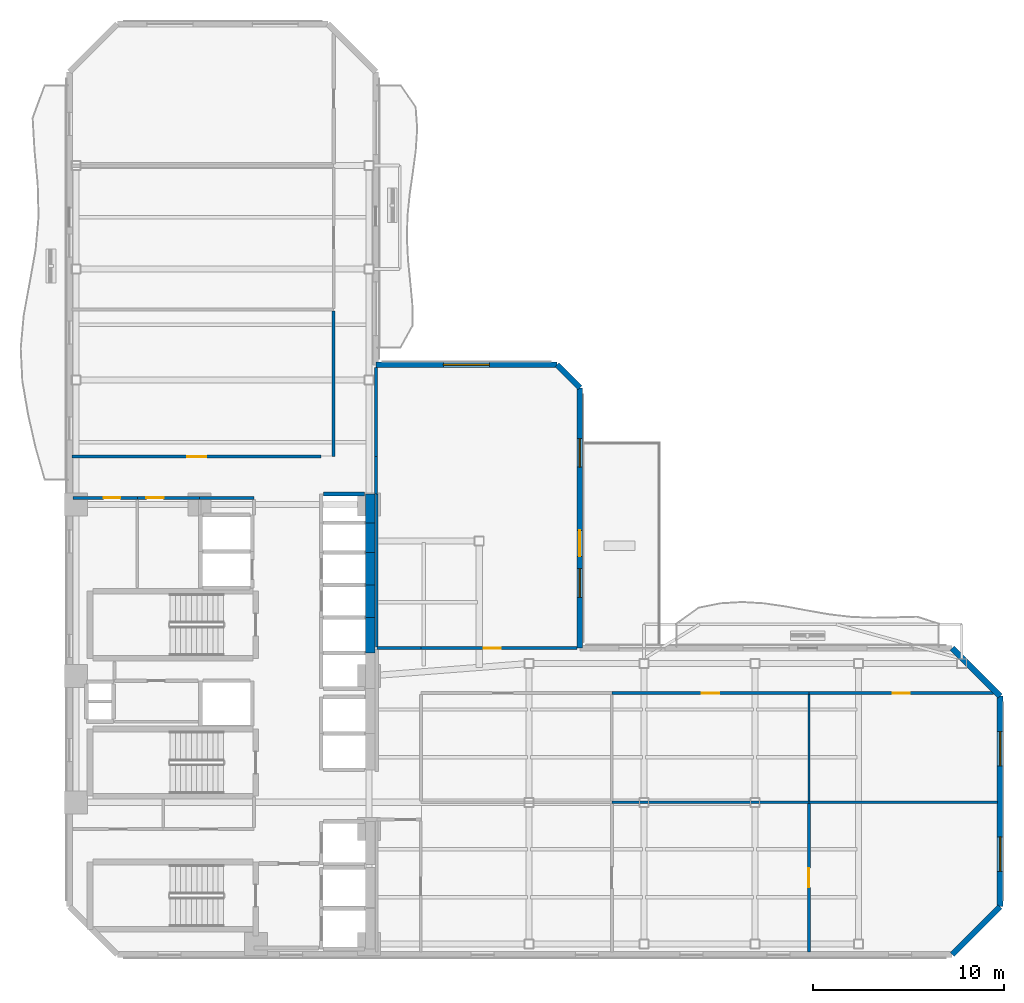
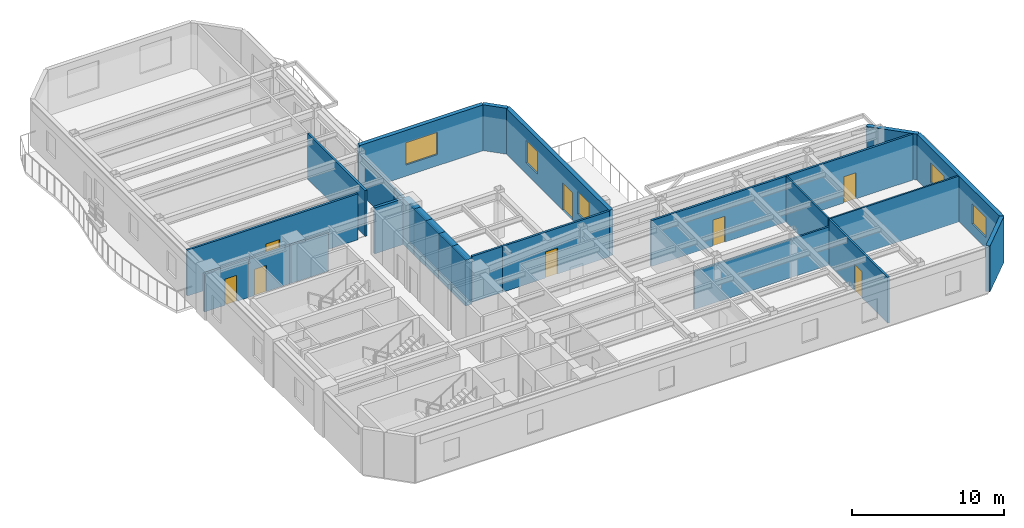
# One storey, part 5 of 11: 28 walls, 8 doors, 5 windows, 13 openings.
"""IFC4 building model written with IfcOpenShell, lengths in metres."""

from ifc_helpers import new_model, si_unit, direction, frame, frame_2d, origin, place, context, subcontext, project, spatial, rectangle, extrude, material, layer, layer_set, type_object, element, fill, save


model = new_model("IFC4")

# Units and contexts
model_context = context("Model", 3, precision=1e-05, world=origin(), true_north=direction((0.0, 1.0)))
body_context = subcontext(model_context, "Body", "Model", "MODEL_VIEW")
ifc_project = project(units=[si_unit("LENGTHUNIT", "METRE"), si_unit("AREAUNIT", "SQUARE_METRE"), si_unit("VOLUMEUNIT", "CUBIC_METRE"), si_unit("PLANEANGLEUNIT", "RADIAN"), si_unit("MASSUNIT", "GRAM", prefix="KILO")], contexts=[model_context])

# Site, building, storey
site_placement = place(None, origin())
site = spatial("IfcSite", under=ifc_project, at=site_placement, CompositionType="ELEMENT")
building_placement = place(site_placement, origin())
building = spatial("IfcBuilding", under=site, at=building_placement, Name="Mawjaban Terraces University", CompositionType="ELEMENT")
storey_placement = place(building_placement, frame((0.0, 0.0, 103.39990234375)))
storey = spatial("IfcBuildingStorey", under=building, at=storey_placement, Name="L24", CompositionType="ELEMENT", Elevation=103.39990234375)

# Walls
ifc_material_1 = material(Name="Concrete C60/75", Category="concrete")
ifc_layer_1 = layer(ifc_material_1, 0.5)
ifc_layer_set_1 = layer_set([ifc_layer_1], Name="Concrete C60/75")
wall_type_1 = type_object("IfcWallType", Name="CoreShearWall_500", PredefinedType="SHEAR", material=ifc_layer_set_1)
wall_1_placement = place(storey_placement, frame((37.699951171875, 15.75, 0.0), z_axis=(0.0, 0.0, 1.0), x_axis=(0.0, 1.0, 0.0)))
element("IfcWall", 1, at=wall_1_placement, inside=storey, type_object=wall_type_1, Name="L24 Lift OL-2 Hoistway Wall East", PredefinedType="SHEAR", context=body_context, shape_type="SweptSolid", body=[
    extrude(rectangle(XDim=1.85009765625, YDim=0.5, at=frame_2d((0.925048828125, 0.0))), origin(), (0.0, 0.0, 1.0), 3.690185546875),
])
for number, where, z_axis, x_axis, name in (
    (2, (37.699951171875, 17.60009765625, 0.0), (0.0, 0.0, 1.0), (0.0, 1.0, 0.0), "L24 Lift PL-M1 Hoistway Wall East"),
    (3, (37.699951171875, 19.300048828125, 0.0), (0.0, 0.0, 1.0), (0.0, 1.0, 0.0), "L24 Lift PL-M2 Hoistway Wall East"),
):
    element("IfcWall", number, at=place(storey_placement, frame(where, z_axis=z_axis, x_axis=x_axis)), inside=storey, type_object=wall_type_1, Name=name, PredefinedType="SHEAR", context=body_context, shape_type="SweptSolid", body=[
        extrude(rectangle(XDim=1.699951171875, YDim=0.5, at=frame_2d((0.85009765625, 0.0))), origin(), (0.0, 0.0, 1.0), 3.690185546875),
    ])
wall_2_placement = place(storey_placement, frame((37.699951171875, 21.0, 0.0), z_axis=(0.0, 0.0, 1.0), x_axis=(0.0, 1.0, 0.0)))
element("IfcWall", 4, at=wall_2_placement, inside=storey, type_object=wall_type_1, Name="L24 Lift PL-L1 Hoistway Wall East", PredefinedType="SHEAR", context=body_context, shape_type="SweptSolid", body=[
    extrude(rectangle(XDim=1.550048828125, YDim=0.5, at=frame_2d((0.77490234375, 0.0))), origin(), (0.0, 0.0, 1.0), 3.690185546875),
])
wall_3_placement = place(storey_placement, frame((37.699951171875, 22.550048828125, 0.0), z_axis=(0.0, 0.0, 1.0), x_axis=(0.0, 1.0, 0.0)))
element("IfcWall", 5, at=wall_3_placement, inside=storey, type_object=wall_type_1, Name="L24 Lift PL-L2 Hoistway Wall East", PredefinedType="SHEAR", context=body_context, shape_type="SweptSolid", body=[
    extrude(rectangle(XDim=1.5, YDim=0.5, at=frame_2d((0.75, 0.0))), origin(), (0.0, 0.0, 1.0), 3.690185546875),
])

# Wall, opening, door
ifc_material_2 = material(Name="Fire-rated gypsum board on steel stud", Category="steel")
ifc_layer_2 = layer(ifc_material_2, 0.159912109375)
ifc_layer_set_2 = layer_set([ifc_layer_2], Name="Fire-rated gypsum board on steel stud")
wall_type_2 = type_object("IfcWallType", Name="CorridorPartition_160", PredefinedType="PARTITIONING", material=ifc_layer_set_2)
wall_4_placement = place(storey_placement, frame((25.550048828125, 23.85009765625, 0.0), z_axis=(0.0, 0.0, 1.0), x_axis=(-1.0, 0.0, 0.0)))
wall_4 = element("IfcWall", 6, at=wall_4_placement, inside=storey, type_object=wall_type_2, Name="L24 Female Toilet Partition 3", PredefinedType="PARTITIONING", context=body_context, shape_type="SweptSolid", body=[
    extrude(rectangle(XDim=3.35009765625, YDim=0.159912109375, at=frame_2d((1.675048828125, 0.0))), origin(), (0.0, 0.0, 1.0), 3.07421875),
])
opening_1_placement = place(wall_4_placement, frame((0.885009765625, 0.0, 0.0)))
opening_1 = element("IfcOpeningElement", 7, at=opening_1_placement, cuts=wall_4, Name="Opening ID-088", PredefinedType="OPENING", context=body_context, shape_type="SweptSolid", body=[
    extrude(rectangle(XDim=0.8798828125, YDim=2.10009765625, at=frame_2d((0.43994140625, 1.050048828125))), frame((0.0, 0.08984375, 0.0), z_axis=(0.0, -1.0, 0.0), x_axis=(1.0, 0.0, 0.0)), (0.0, 0.0, 1.0), 0.179931640625),
])
ifc_material_3 = material(Name="Powder-coated steel frame and solid acoustic timber leaf", Category="steel")
door_type_1 = type_object("IfcDoorType", Name="ToiletDoor_880x2100", OperationType="NOTDEFINED", PredefinedType="DOOR", material=ifc_material_3)
door_1_placement = place(opening_1_placement, origin())
door_1 = element("IfcDoor", 8, at=door_1_placement, inside=storey, type_object=door_type_1, Name="L24 Female Toilet Door", OperationType="SINGLE_SWING_RIGHT", OverallHeight=2.10009765625, OverallWidth=0.8798828125, PredefinedType="DOOR", context=body_context, shape_type="SweptSolid", body=[
    extrude(rectangle(XDim=0.8798828125, YDim=2.10009765625, at=frame_2d((0.43994140625, 1.050048828125))), frame((0.0, 0.02490234375, 0.0), z_axis=(0.0, -1.0, 0.0), x_axis=(1.0, 0.0, 0.0)), (0.0, 0.0, 1.0), 0.050048828125),
])
fill(opening_1, door_1)

wall_5_placement = place(storey_placement, frame((28.800048828125, 23.85009765625, 0.0), z_axis=(0.0, 0.0, 1.0), x_axis=(-1.0, 0.0, 0.0)))
wall_5 = element("IfcWall", 9, at=wall_5_placement, inside=storey, type_object=wall_type_2, Name="L24 Staff Tea Pantry Partition 5", PredefinedType="PARTITIONING", context=body_context, shape_type="SweptSolid", body=[
    extrude(rectangle(XDim=3.25, YDim=0.159912109375, at=frame_2d((1.625, 0.0))), origin(), (0.0, 0.0, 1.0), 3.07421875),
])
opening_2_placement = place(wall_5_placement, frame((1.875, 0.0, 0.0)))
opening_2 = element("IfcOpeningElement", 10, at=opening_2_placement, cuts=wall_5, Name="Opening ID-090", PredefinedType="OPENING", context=body_context, shape_type="SweptSolid", body=[
    extrude(rectangle(XDim=0.89990234375, YDim=2.10009765625, at=frame_2d((0.449951171875, 1.050048828125))), frame((0.0, 0.08984375, 0.0), z_axis=(0.0, -1.0, 0.0), x_axis=(1.0, 0.0, 0.0)), (0.0, 0.0, 1.0), 0.179931640625),
])
door_type_2 = type_object("IfcDoorType", Name="OfficeDoor_900x2100", OperationType="NOTDEFINED", PredefinedType="DOOR", material=ifc_material_3)
door_2_placement = place(opening_2_placement, origin())
door_2 = element("IfcDoor", 11, at=door_2_placement, inside=storey, type_object=door_type_2, Name="L24 Staff Tea Pantry Door", OperationType="SINGLE_SWING_LEFT", OverallHeight=2.10009765625, OverallWidth=0.89990234375, PredefinedType="DOOR", context=body_context, shape_type="SweptSolid", body=[
    extrude(rectangle(XDim=0.89990234375, YDim=2.10009765625, at=frame_2d((0.449951171875, 1.050048828125))), frame((0.0, 0.02490234375, 0.0), z_axis=(0.0, -1.0, 0.0), x_axis=(1.0, 0.0, 0.0)), (0.0, 0.0, 1.0), 0.050048828125),
])
fill(opening_2, door_2)

# Wall
wall_6_placement = place(storey_placement, frame((28.800048828125, 23.85009765625, 0.0), z_axis=(0.0, 0.0, 1.0), x_axis=(1.0, 0.0, 0.0)))
element("IfcWall", 12, at=wall_6_placement, inside=storey, type_object=wall_type_2, Name="L24 North Core Cross-Corridor Partition 6", PredefinedType="PARTITIONING", context=body_context, shape_type="SweptSolid", body=[
    extrude(rectangle(XDim=2.849853515625, YDim=0.159912109375, at=frame_2d((1.4248046875, 0.0))), origin(), (0.0, 0.0, 1.0), 3.07421875),
])

# Wall, opening, door
wall_7_placement = place(storey_placement, frame((35.14990234375, 26.0, 0.0), z_axis=(0.0, 0.0, 1.0), x_axis=(-1.0, 0.0, 0.0)))
wall_7 = element("IfcWall", 13, at=wall_7_placement, inside=storey, type_object=wall_type_2, Name="L24 North Core Cross-Corridor Partition 10", PredefinedType="PARTITIONING", context=body_context, shape_type="SweptSolid", body=[
    extrude(rectangle(XDim=13.0048828125, YDim=0.159912109375, at=frame_2d((6.50244140625, 0.0))), origin(), (0.0, 0.0, 1.0), 3.690185546875),
])
opening_3_placement = place(wall_7_placement, frame((6.001953125, 0.0, 0.0)))
opening_3 = element("IfcOpeningElement", 14, at=opening_3_placement, cuts=wall_7, Name="Opening ID-100", PredefinedType="OPENING", context=body_context, shape_type="SweptSolid", body=[
    extrude(rectangle(XDim=1.0, YDim=2.10009765625, at=frame_2d((0.5, 1.050048828125))), frame((0.0, 0.08984375, 0.0), z_axis=(0.0, -1.0, 0.0), x_axis=(1.0, 0.0, 0.0)), (0.0, 0.0, 1.0), 0.179931640625),
])
door_type_3 = type_object("IfcDoorType", Name="ClassroomDoor_1000x2100", OperationType="NOTDEFINED", PredefinedType="DOOR", material=ifc_material_3)
door_3_placement = place(opening_3_placement, origin())
door_3 = element("IfcDoor", 15, at=door_3_placement, inside=storey, type_object=door_type_3, Name="L24 Classroom 8 Door", OperationType="SINGLE_SWING_LEFT", OverallHeight=2.10009765625, OverallWidth=1.0, PredefinedType="DOOR", context=body_context, shape_type="SweptSolid", body=[
    extrude(rectangle(XDim=1.0, YDim=2.10009765625, at=frame_2d((0.5, 1.050048828125))), frame((0.0, 0.02490234375, 0.0), z_axis=(0.0, -1.0, 0.0), x_axis=(1.0, 0.0, 0.0)), (0.0, 0.0, 1.0), 0.050048828125),
])
fill(opening_3, door_3)

# Wall
wall_8_placement = place(storey_placement, frame((40.35009765625, 16.0, 0.0), z_axis=(0.0, 0.0, 1.0), x_axis=(-1.0, 0.0, 0.0)))
element("IfcWall", 16, at=wall_8_placement, inside=storey, type_object=wall_type_2, Name="L24 Inner Gallery Link Corridor Partition 15", PredefinedType="PARTITIONING", context=body_context, shape_type="SweptSolid", body=[
    extrude(rectangle(XDim=2.300048828125, YDim=0.159912109375, at=frame_2d((1.14990234375, 0.0))), origin(), (0.0, 0.0, 1.0), 3.690185546875),
])

# Wall, opening, door
wall_9_placement = place(storey_placement, frame((40.35009765625, 16.0, 0.0), z_axis=(0.0, 0.0, 1.0), x_axis=(1.0, 0.0, 0.0)))
wall_9 = element("IfcWall", 17, at=wall_9_placement, inside=storey, type_object=wall_type_2, Name="L24 Terrace Collaborative Study Room Partition 16", PredefinedType="PARTITIONING", context=body_context, shape_type="SweptSolid", body=[
    extrude(rectangle(XDim=8.160888671875, YDim=0.159912109375, at=frame_2d((4.08056640625, 0.0))), origin(), (0.0, 0.0, 1.0), 3.690185546875),
])
opening_4_placement = place(wall_9_placement, frame((3.281005859375, 0.0, 0.0)))
opening_4 = element("IfcOpeningElement", 18, at=opening_4_placement, cuts=wall_9, Name="Opening ID-090", PredefinedType="OPENING", context=body_context, shape_type="SweptSolid", body=[
    extrude(rectangle(XDim=0.89990234375, YDim=2.10009765625, at=frame_2d((0.449951171875, 1.050048828125))), frame((0.0, 0.08984375, 0.0), z_axis=(0.0, -1.0, 0.0), x_axis=(1.0, 0.0, 0.0)), (0.0, 0.0, 1.0), 0.179931640625),
])
door_4_placement = place(opening_4_placement, origin())
door_4 = element("IfcDoor", 19, at=door_4_placement, inside=storey, type_object=door_type_2, Name="L24 Terrace Collaborative Study Room Door", OperationType="SINGLE_SWING_RIGHT", OverallHeight=2.10009765625, OverallWidth=0.89990234375, PredefinedType="DOOR", context=body_context, shape_type="SweptSolid", body=[
    extrude(rectangle(XDim=0.89990234375, YDim=2.10009765625, at=frame_2d((0.449951171875, 1.050048828125))), frame((0.0, 0.02490234375, 0.0), z_axis=(0.0, -1.0, 0.0), x_axis=(1.0, 0.0, 0.0)), (0.0, 0.0, 1.0), 0.050048828125),
])
fill(opening_4, door_4)

wall_10_placement = place(storey_placement, frame((50.330078125, 13.64990234375, 0.0), z_axis=(0.0, 0.0, 1.0), x_axis=(1.0, 0.0, 0.0)))
wall_10 = element("IfcWall", 20, at=wall_10_placement, inside=storey, type_object=wall_type_2, Name="L24 Inner Terrace Gallery Corridor East Partition 18", PredefinedType="PARTITIONING", context=body_context, shape_type="SweptSolid", body=[
    extrude(rectangle(XDim=10.2900390625, YDim=0.159912109375, at=frame_2d((5.14501953125, 0.0))), origin(), (0.0, 0.0, 1.0), 3.690185546875),
])
opening_5_placement = place(wall_10_placement, frame((4.695068359375, 0.0, 0.0)))
opening_5 = element("IfcOpeningElement", 21, at=opening_5_placement, cuts=wall_10, Name="Opening ID-090", PredefinedType="OPENING", context=body_context, shape_type="SweptSolid", body=[
    extrude(rectangle(XDim=0.89990234375, YDim=2.10009765625, at=frame_2d((0.449951171875, 1.050048828125))), frame((0.0, 0.08984375, 0.0), z_axis=(0.0, -1.0, 0.0), x_axis=(1.0, 0.0, 0.0)), (0.0, 0.0, 1.0), 0.179931640625),
])
door_5_placement = place(opening_5_placement, origin())
door_5 = element("IfcDoor", 22, at=door_5_placement, inside=storey, type_object=door_type_2, Name="L24 Seminar Room 5 Door", OperationType="SINGLE_SWING_RIGHT", OverallHeight=2.10009765625, OverallWidth=0.89990234375, PredefinedType="DOOR", context=body_context, shape_type="SweptSolid", body=[
    extrude(rectangle(XDim=0.89990234375, YDim=2.10009765625, at=frame_2d((0.449951171875, 1.050048828125))), frame((0.0, 0.02490234375, 0.0), z_axis=(0.0, -1.0, 0.0), x_axis=(1.0, 0.0, 0.0)), (0.0, 0.0, 1.0), 0.050048828125),
])
fill(opening_5, door_5)

wall_11_placement = place(storey_placement, frame((60.6201171875, 13.64990234375, 0.0), z_axis=(0.0, 0.0, 1.0), x_axis=(1.0, 0.0, 0.0)))
wall_11 = element("IfcWall", 23, at=wall_11_placement, inside=storey, type_object=wall_type_2, Name="L24 Inner Terrace Gallery Corridor East Partition 20", PredefinedType="PARTITIONING", context=body_context, shape_type="SweptSolid", body=[
    extrude(rectangle(XDim=9.625, YDim=0.159912109375, at=frame_2d((4.8125, 0.0))), origin(), (0.0, 0.0, 1.0), 3.690185546875),
])
opening_6_placement = place(wall_11_placement, frame((4.363037109375, 0.0, 0.0)))
opening_6 = element("IfcOpeningElement", 24, at=opening_6_placement, cuts=wall_11, Name="Opening ID-090", PredefinedType="OPENING", context=body_context, shape_type="SweptSolid", body=[
    extrude(rectangle(XDim=0.89990234375, YDim=2.10009765625, at=frame_2d((0.449951171875, 1.050048828125))), frame((0.0, 0.08984375, 0.0), z_axis=(0.0, -1.0, 0.0), x_axis=(1.0, 0.0, 0.0)), (0.0, 0.0, 1.0), 0.179931640625),
])
door_6_placement = place(opening_6_placement, origin())
door_6 = element("IfcDoor", 25, at=door_6_placement, inside=storey, type_object=door_type_2, Name="L24 Faculty Office 7 Door", OperationType="SINGLE_SWING_RIGHT", OverallHeight=2.10009765625, OverallWidth=0.89990234375, PredefinedType="DOOR", context=body_context, shape_type="SweptSolid", body=[
    extrude(rectangle(XDim=0.89990234375, YDim=2.10009765625, at=frame_2d((0.449951171875, 1.050048828125))), frame((0.0, 0.02490234375, 0.0), z_axis=(0.0, -1.0, 0.0), x_axis=(1.0, 0.0, 0.0)), (0.0, 0.0, 1.0), 0.050048828125),
])
fill(opening_6, door_6)

# Walls
wall_12_placement = place(storey_placement, frame((35.800048828125, 33.612060546875, 0.0), z_axis=(0.0, 0.0, 1.0), x_axis=(0.0, -1.0, 0.0)))
element("IfcWall", 26, at=wall_12_placement, inside=storey, type_object=wall_type_2, Name="L24 Inner Terrace Gallery Corridor North Partition 28", PredefinedType="PARTITIONING", context=body_context, shape_type="SweptSolid", body=[
    extrude(rectangle(XDim=7.612060546875, YDim=0.159912109375, at=frame_2d((3.80615234375, 0.0))), origin(), (0.0, 0.0, 1.0), 3.690185546875),
])
wall_13_placement = place(storey_placement, frame((38.0, 24.050048828125, 0.0), z_axis=(0.0, 0.0, 1.0), x_axis=(0.0, 1.0, 0.0)))
element("IfcWall", 27, at=wall_13_placement, inside=storey, type_object=wall_type_2, Name="L24 North Gallery Vestibule Partition 31", PredefinedType="PARTITIONING", context=body_context, shape_type="SweptSolid", body=[
    extrude(rectangle(XDim=1.949951171875, YDim=0.159912109375, at=frame_2d((0.97509765625, 0.0))), origin(), (0.0, 0.0, 1.0), 3.07421875),
])
wall_14_placement = place(storey_placement, frame((38.0, 26.0, 0.0), z_axis=(0.0, 0.0, 1.0), x_axis=(0.0, 1.0, 0.0)))
element("IfcWall", 28, at=wall_14_placement, inside=storey, type_object=wall_type_2, Name="L24 Inner Terrace Gallery Corridor North Partition 32", PredefinedType="PARTITIONING", context=body_context, shape_type="SweptSolid", body=[
    extrude(rectangle(XDim=4.655029296875, YDim=0.159912109375, at=frame_2d((2.32763671875, 0.0))), origin(), (0.0, 0.0, 1.0), 3.07421875),
])
ifc_material_4 = material(Name="Insulated terracotta rainscreen on concrete backup C40/50", Category="masonry")
ifc_layer_3 = layer(ifc_material_4, 0.300048828125)
ifc_layer_set_3 = layer_set([ifc_layer_3], Name="Insulated terracotta rainscreen on concrete backup C40/50")
wall_type_3 = type_object("IfcWallType", Name="ExtTerracottaWall_300", PredefinedType="SOLIDWALL", material=ifc_layer_set_3)
wall_15_placement = place(storey_placement, frame((68.10009765625, 0.0, 0.0), z_axis=(0.0, 0.0, 1.0), x_axis=(0.707106781187, 0.707106781187, 0.0)))
element("IfcWall", 29, at=wall_15_placement, inside=storey, type_object=wall_type_3, Name="L24 Exterior Terracotta Wall 2", PredefinedType="SOLIDWALL", context=body_context, shape_type="SweptSolid", body=[
    extrude(rectangle(XDim=3.53564453125, YDim=0.300048828125, at=frame_2d((1.767822265625, 0.0))), origin(), (0.0, 0.0, 1.0), 3.690185546875),
])

# Wall, openings, windows
wall_16_placement = place(storey_placement, frame((70.60009765625, 2.5, 0.0), z_axis=(0.0, 0.0, 1.0), x_axis=(0.0, 1.0, 0.0)))
wall_16 = element("IfcWall", 30, at=wall_16_placement, inside=storey, type_object=wall_type_3, Name="L24 Exterior Terracotta Wall 3", PredefinedType="SOLIDWALL", context=body_context, shape_type="SweptSolid", body=[
    extrude(rectangle(XDim=11.0, YDim=0.300048828125, at=frame_2d((5.5, 0.0))), origin(), (0.0, 0.0, 1.0), 3.690185546875),
])
opening_7_placement = place(wall_16_placement, frame((1.85009765625, 0.0, 0.89990234375)))
opening_7 = element("IfcOpeningElement", 31, at=opening_7_placement, cuts=wall_16, Name="Opening W-03", PredefinedType="OPENING", context=body_context, shape_type="SweptSolid", body=[
    extrude(rectangle(XDim=1.800048828125, YDim=1.60009765625, at=frame_2d((0.89990234375, 0.800048828125))), frame((0.0, 0.159912109375, 0.0), z_axis=(0.0, -1.0, 0.0), x_axis=(1.0, 0.0, 0.0)), (0.0, 0.0, 1.0), 0.320068359375),
])
opening_8_placement = place(wall_16_placement, frame((7.35009765625, 0.0, 0.89990234375)))
opening_8 = element("IfcOpeningElement", 32, at=opening_8_placement, cuts=wall_16, Name="Opening W-03", PredefinedType="OPENING", context=body_context, shape_type="SweptSolid", body=[
    extrude(rectangle(XDim=1.800048828125, YDim=1.60009765625, at=frame_2d((0.89990234375, 0.800048828125))), frame((0.0, 0.159912109375, 0.0), z_axis=(0.0, -1.0, 0.0), x_axis=(1.0, 0.0, 0.0)), (0.0, 0.0, 1.0), 0.320068359375),
])
ifc_material_5 = material(Name="Low-E solar-control double glazing in thermally broken aluminium frame", Category="aluminium")
window_type_1 = type_object("IfcWindowType", Name="Win_1800x1600", PartitioningType="SINGLE_PANEL", PredefinedType="WINDOW", material=ifc_material_5)
window_1_placement = place(opening_7_placement, origin())
window_1 = element("IfcWindow", 33, at=window_1_placement, inside=storey, type_object=window_type_1, Name="L24 Facade Window 3.1", OverallHeight=1.60009765625, OverallWidth=1.800048828125, PartitioningType="SINGLE_PANEL", PredefinedType="WINDOW", context=body_context, shape_type="SweptSolid", body=[
    extrude(rectangle(XDim=1.800048828125, YDim=1.60009765625, at=frame_2d((0.89990234375, 0.800048828125))), frame((0.0, 0.030029296875, 0.0), z_axis=(0.0, -1.0, 0.0), x_axis=(1.0, 0.0, 0.0)), (0.0, 0.0, 1.0), 0.06005859375),
])
fill(opening_7, window_1)
window_2_placement = place(opening_8_placement, origin())
window_2 = element("IfcWindow", 34, at=window_2_placement, inside=storey, type_object=window_type_1, Name="L24 Facade Window 3.2", OverallHeight=1.60009765625, OverallWidth=1.800048828125, PartitioningType="SINGLE_PANEL", PredefinedType="WINDOW", context=body_context, shape_type="SweptSolid", body=[
    extrude(rectangle(XDim=1.800048828125, YDim=1.60009765625, at=frame_2d((0.89990234375, 0.800048828125))), frame((0.0, 0.030029296875, 0.0), z_axis=(0.0, -1.0, 0.0), x_axis=(1.0, 0.0, 0.0)), (0.0, 0.0, 1.0), 0.06005859375),
])
fill(opening_8, window_2)

# Wall
wall_17_placement = place(storey_placement, frame((70.60009765625, 13.5, 0.0), z_axis=(0.0, 0.0, 1.0), x_axis=(-0.707106781187, 0.707106781187, 0.0)))
element("IfcWall", 35, at=wall_17_placement, inside=storey, type_object=wall_type_3, Name="L24 Exterior Terracotta Wall 4", PredefinedType="SOLIDWALL", context=body_context, shape_type="SweptSolid", body=[
    extrude(rectangle(XDim=3.53564453125, YDim=0.300048828125, at=frame_2d((1.767822265625, 0.0))), origin(), (0.0, 0.0, 1.0), 3.690185546875),
])

# Wall, openings, door, windows
wall_18_placement = place(storey_placement, frame((48.656005859375, 16.0, 0.0), z_axis=(0.0, 0.0, 1.0), x_axis=(0.0, 1.0, 0.0)))
wall_18 = element("IfcWall", 36, at=wall_18_placement, inside=storey, type_object=wall_type_3, Name="L24 Exterior Terracotta Wall 6", PredefinedType="SOLIDWALL", context=body_context, shape_type="SweptSolid", body=[
    extrude(rectangle(XDim=13.60009765625, YDim=0.300048828125, at=frame_2d((6.800048828125, 0.0))), origin(), (0.0, 0.0, 1.0), 3.690185546875),
])
opening_9_placement = place(wall_18_placement, frame((4.800048828125, 0.0, 0.0)))
opening_9 = element("IfcOpeningElement", 37, at=opening_9_placement, cuts=wall_18, Name="Opening TD-135", PredefinedType="OPENING", context=body_context, shape_type="SweptSolid", body=[
    extrude(rectangle(XDim=1.35009765625, YDim=2.199951171875, at=frame_2d((0.675048828125, 1.10009765625))), frame((0.0, 0.159912109375, 0.0), z_axis=(0.0, -1.0, 0.0), x_axis=(1.0, 0.0, 0.0)), (0.0, 0.0, 1.0), 0.320068359375),
])
opening_10_placement = place(wall_18_placement, frame((2.64990234375, 0.0, 0.89990234375)))
opening_10 = element("IfcOpeningElement", 38, at=opening_10_placement, cuts=wall_18, Name="Opening W-06", PredefinedType="OPENING", context=body_context, shape_type="SweptSolid", body=[
    extrude(rectangle(XDim=1.5, YDim=1.800048828125, at=frame_2d((0.75, 0.89990234375))), frame((0.0, 0.159912109375, 0.0), z_axis=(0.0, -1.0, 0.0), x_axis=(1.0, 0.0, 0.0)), (0.0, 0.0, 1.0), 0.320068359375),
])
opening_11_placement = place(wall_18_placement, frame((9.449951171875, 0.0, 0.89990234375)))
opening_11 = element("IfcOpeningElement", 39, at=opening_11_placement, cuts=wall_18, Name="Opening W-06", PredefinedType="OPENING", context=body_context, shape_type="SweptSolid", body=[
    extrude(rectangle(XDim=1.5, YDim=1.800048828125, at=frame_2d((0.75, 0.89990234375))), frame((0.0, 0.159912109375, 0.0), z_axis=(0.0, -1.0, 0.0), x_axis=(1.0, 0.0, 0.0)), (0.0, 0.0, 1.0), 0.320068359375),
])
ifc_material_6 = material(Name="Thermally broken anodised aluminium and laminated safety glass", Category="aluminium")
door_type_4 = type_object("IfcDoorType", Name="TerraceGlazedDoor_1350x2200", OperationType="NOTDEFINED", PredefinedType="DOOR", material=ifc_material_6)
door_7_placement = place(opening_9_placement, origin())
door_7 = element("IfcDoor", 40, at=door_7_placement, inside=storey, type_object=door_type_4, Name="L24 Terrace Access Door TER-L24-CLIMB", OperationType="SINGLE_SWING_RIGHT", OverallHeight=2.199951171875, OverallWidth=1.35009765625, PredefinedType="DOOR", context=body_context, shape_type="SweptSolid", body=[
    extrude(rectangle(XDim=1.35009765625, YDim=2.199951171875, at=frame_2d((0.675048828125, 1.10009765625))), frame((0.0, 0.02490234375, 0.0), z_axis=(0.0, -1.0, 0.0), x_axis=(1.0, 0.0, 0.0)), (0.0, 0.0, 1.0), 0.050048828125),
])
fill(opening_9, door_7)
window_type_2 = type_object("IfcWindowType", Name="Win_1500x1800", PartitioningType="SINGLE_PANEL", PredefinedType="WINDOW", material=ifc_material_5)
window_3_placement = place(opening_10_placement, origin())
window_3 = element("IfcWindow", 41, at=window_3_placement, inside=storey, type_object=window_type_2, Name="L24 Facade Window 6.1", OverallHeight=1.800048828125, OverallWidth=1.5, PartitioningType="SINGLE_PANEL", PredefinedType="WINDOW", context=body_context, shape_type="SweptSolid", body=[
    extrude(rectangle(XDim=1.5, YDim=1.800048828125, at=frame_2d((0.75, 0.89990234375))), frame((0.0, 0.030029296875, 0.0), z_axis=(0.0, -1.0, 0.0), x_axis=(1.0, 0.0, 0.0)), (0.0, 0.0, 1.0), 0.06005859375),
])
fill(opening_10, window_3)
window_4_placement = place(opening_11_placement, origin())
window_4 = element("IfcWindow", 42, at=window_4_placement, inside=storey, type_object=window_type_2, Name="L24 Facade Window 6.2", OverallHeight=1.800048828125, OverallWidth=1.5, PartitioningType="SINGLE_PANEL", PredefinedType="WINDOW", context=body_context, shape_type="SweptSolid", body=[
    extrude(rectangle(XDim=1.5, YDim=1.800048828125, at=frame_2d((0.75, 0.89990234375))), frame((0.0, 0.030029296875, 0.0), z_axis=(0.0, -1.0, 0.0), x_axis=(1.0, 0.0, 0.0)), (0.0, 0.0, 1.0), 0.06005859375),
])
fill(opening_11, window_4)

# Wall
wall_19_placement = place(storey_placement, frame((48.656005859375, 29.60009765625, 0.0), z_axis=(0.0, 0.0, 1.0), x_axis=(-0.707106781187, 0.707106781187, 0.0)))
element("IfcWall", 43, at=wall_19_placement, inside=storey, type_object=wall_type_3, Name="L24 Exterior Terracotta Wall 7", PredefinedType="SOLIDWALL", context=body_context, shape_type="SweptSolid", body=[
    extrude(rectangle(XDim=1.697021484375, YDim=0.300048828125, at=frame_2d((0.8486328125, 0.0))), origin(), (0.0, 0.0, 1.0), 3.690185546875),
])

# Wall, opening, window
wall_20_placement = place(storey_placement, frame((47.4560546875, 30.800048828125, 0.0), z_axis=(0.0, 0.0, 1.0), x_axis=(-1.0, 0.0, 0.0)))
wall_20 = element("IfcWall", 44, at=wall_20_placement, inside=storey, type_object=wall_type_3, Name="L24 Exterior Terracotta Wall 8", PredefinedType="SOLIDWALL", context=body_context, shape_type="SweptSolid", body=[
    extrude(rectangle(XDim=9.4560546875, YDim=0.300048828125, at=frame_2d((4.72802734375, 0.0))), origin(), (0.0, 0.0, 1.0), 3.690185546875),
])
opening_12_placement = place(wall_20_placement, frame((3.528076171875, 0.0, 0.89990234375)))
opening_12 = element("IfcOpeningElement", 45, at=opening_12_placement, cuts=wall_20, Name="Opening W-08", PredefinedType="OPENING", context=body_context, shape_type="SweptSolid", body=[
    extrude(rectangle(XDim=2.39990234375, YDim=1.800048828125, at=frame_2d((1.199951171875, 0.89990234375))), frame((0.0, 0.159912109375, 0.0), z_axis=(0.0, -1.0, 0.0), x_axis=(1.0, 0.0, 0.0)), (0.0, 0.0, 1.0), 0.320068359375),
])
window_type_3 = type_object("IfcWindowType", Name="Win_2400x1800", PartitioningType="SINGLE_PANEL", PredefinedType="WINDOW", material=ifc_material_5)
window_5_placement = place(opening_12_placement, origin())
window_5 = element("IfcWindow", 46, at=window_5_placement, inside=storey, type_object=window_type_3, Name="L24 Facade Window 8.1", OverallHeight=1.800048828125, OverallWidth=2.39990234375, PartitioningType="SINGLE_PANEL", PredefinedType="WINDOW", context=body_context, shape_type="SweptSolid", body=[
    extrude(rectangle(XDim=2.39990234375, YDim=1.800048828125, at=frame_2d((1.199951171875, 0.89990234375))), frame((0.0, 0.030029296875, 0.0), z_axis=(0.0, -1.0, 0.0), x_axis=(1.0, 0.0, 0.0)), (0.0, 0.0, 1.0), 0.06005859375),
])
fill(opening_12, window_5)

# Walls
ifc_material_7 = material(Name="Concrete C40/50", Category="concrete")
ifc_layer_4 = layer(ifc_material_7, 0.199951171875)
ifc_layer_set_4 = layer_set([ifc_layer_4], Name="Concrete C40/50")
wall_type_4 = type_object("IfcWallType", Name="FireLobbyWall_200", PredefinedType="SOLIDWALL", material=ifc_layer_set_4)
wall_21_placement = place(storey_placement, frame((37.419921875, 24.050048828125, 0.0), z_axis=(0.0, 0.0, 1.0), x_axis=(-1.0, 0.0, 0.0)))
element("IfcWall", 47, at=wall_21_placement, inside=storey, type_object=wall_type_4, Name="L24 Lift PL-L2 Hoistway Wall North", PredefinedType="SOLIDWALL", context=body_context, shape_type="SweptSolid", body=[
    extrude(rectangle(XDim=2.139892578125, YDim=0.199951171875, at=frame_2d((1.06982421875, 0.0))), origin(), (0.0, 0.0, 1.0), 3.690185546875),
])
ifc_material_8 = material(Name="Moisture-resistant gypsum board on steel stud", Category="steel")
ifc_layer_5 = layer(ifc_material_8, 0.14501953125)
ifc_layer_set_5 = layer_set([ifc_layer_5], Name="Moisture-resistant gypsum board on steel stud")
wall_type_5 = type_object("IfcWallType", Name="LabPartition_145", PredefinedType="PARTITIONING", material=ifc_layer_set_5)
wall_22_placement = place(storey_placement, frame((60.6201171875, 7.949951171875, 0.0), z_axis=(0.0, 0.0, 1.0), x_axis=(-1.0, 0.0, 0.0)))
element("IfcWall", 48, at=wall_22_placement, inside=storey, type_object=wall_type_5, Name="L24 Teaching Laboratory 4 Partition 19", PredefinedType="PARTITIONING", context=body_context, shape_type="SweptSolid", body=[
    extrude(rectangle(XDim=10.2900390625, YDim=0.14501953125, at=frame_2d((5.14501953125, 0.0))), origin(), (0.0, 0.0, 1.0), 3.07421875),
])

# Wall, opening, door
wall_23_placement = place(storey_placement, frame((60.6201171875, 0.14501953125, 0.0), z_axis=(0.0, 0.0, 1.0), x_axis=(0.0, 1.0, 0.0)))
wall_23 = element("IfcWall", 49, at=wall_23_placement, inside=storey, type_object=wall_type_5, Name="L24 Teaching Laboratory 4 Partition 40", PredefinedType="PARTITIONING", context=body_context, shape_type="SweptSolid", body=[
    extrude(rectangle(XDim=7.738037109375, YDim=0.14501953125, at=frame_2d((3.869140625, 0.0))), origin(), (0.0, 0.0, 1.0), 3.690185546875),
])
opening_13_placement = place(wall_23_placement, frame((3.368896484375, 0.0, 0.0)))
opening_13 = element("IfcOpeningElement", 50, at=opening_13_placement, cuts=wall_23, Name="Opening ID-100", PredefinedType="OPENING", context=body_context, shape_type="SweptSolid", body=[
    extrude(rectangle(XDim=1.0, YDim=2.10009765625, at=frame_2d((0.5, 1.050048828125))), frame((0.0, 0.08251953125, 0.0), z_axis=(0.0, -1.0, 0.0), x_axis=(1.0, 0.0, 0.0)), (0.0, 0.0, 1.0), 0.1650390625),
])
door_8_placement = place(opening_13_placement, origin())
door_8 = element("IfcDoor", 51, at=door_8_placement, inside=storey, type_object=door_type_3, Name="L24 Classroom 6 Door", OperationType="SINGLE_SWING_LEFT", OverallHeight=2.10009765625, OverallWidth=1.0, PredefinedType="DOOR", context=body_context, shape_type="SweptSolid", body=[
    extrude(rectangle(XDim=1.0, YDim=2.10009765625, at=frame_2d((0.5, 1.050048828125))), frame((0.0, 0.02490234375, 0.0), z_axis=(0.0, -1.0, 0.0), x_axis=(1.0, 0.0, 0.0)), (0.0, 0.0, 1.0), 0.050048828125),
])
fill(opening_13, door_8)

# Walls
ifc_material_9 = material(Name="Gypsum plasterboard on steel stud", Category="steel")
ifc_layer_6 = layer(ifc_material_9, 0.125)
ifc_layer_set_6 = layer_set([ifc_layer_6], Name="Gypsum plasterboard on steel stud")
wall_type_6 = type_object("IfcWallType", Name="OfficePartition_125", PredefinedType="PARTITIONING", material=ifc_layer_set_6)
wall_24_placement = place(storey_placement, frame((70.455078125, 7.949951171875, 0.0), z_axis=(0.0, 0.0, 1.0), x_axis=(-1.0, 0.0, 0.0)))
element("IfcWall", 52, at=wall_24_placement, inside=storey, type_object=wall_type_6, Name="L24 Classroom 6 Partition 21", PredefinedType="PARTITIONING", context=body_context, shape_type="SweptSolid", body=[
    extrude(rectangle(XDim=9.8349609375, YDim=0.125, at=frame_2d((4.91748046875, 0.0))), origin(), (0.0, 0.0, 1.0), 3.690185546875),
])
wall_25_placement = place(storey_placement, frame((38.050048828125, 24.050048828125, 0.0), z_axis=(0.0, 0.0, 1.0), x_axis=(0.0, -1.0, 0.0)))
element("IfcWall", 53, at=wall_25_placement, inside=storey, type_object=wall_type_6, Name="L24 Terrace Collaborative Study Room Partition 35", PredefinedType="PARTITIONING", context=body_context, shape_type="SweptSolid", body=[
    extrude(rectangle(XDim=7.97509765625, YDim=0.125, at=frame_2d((3.987548828125, 0.0))), origin(), (0.0, 0.0, 1.0), 3.07421875),
])
wall_26_placement = place(storey_placement, frame((60.6201171875, 8.01806640625, 0.0), z_axis=(0.0, 0.0, 1.0), x_axis=(0.0, 1.0, 0.0)))
element("IfcWall", 54, at=wall_26_placement, inside=storey, type_object=wall_type_6, Name="L24 Seminar Room 5 Partition 41", PredefinedType="PARTITIONING", context=body_context, shape_type="SweptSolid", body=[
    extrude(rectangle(XDim=5.556884765625, YDim=0.125, at=frame_2d((2.7783203125, 0.0))), origin(), (0.0, 0.0, 1.0), 3.690185546875),
])

save(model, "model.ifc")
